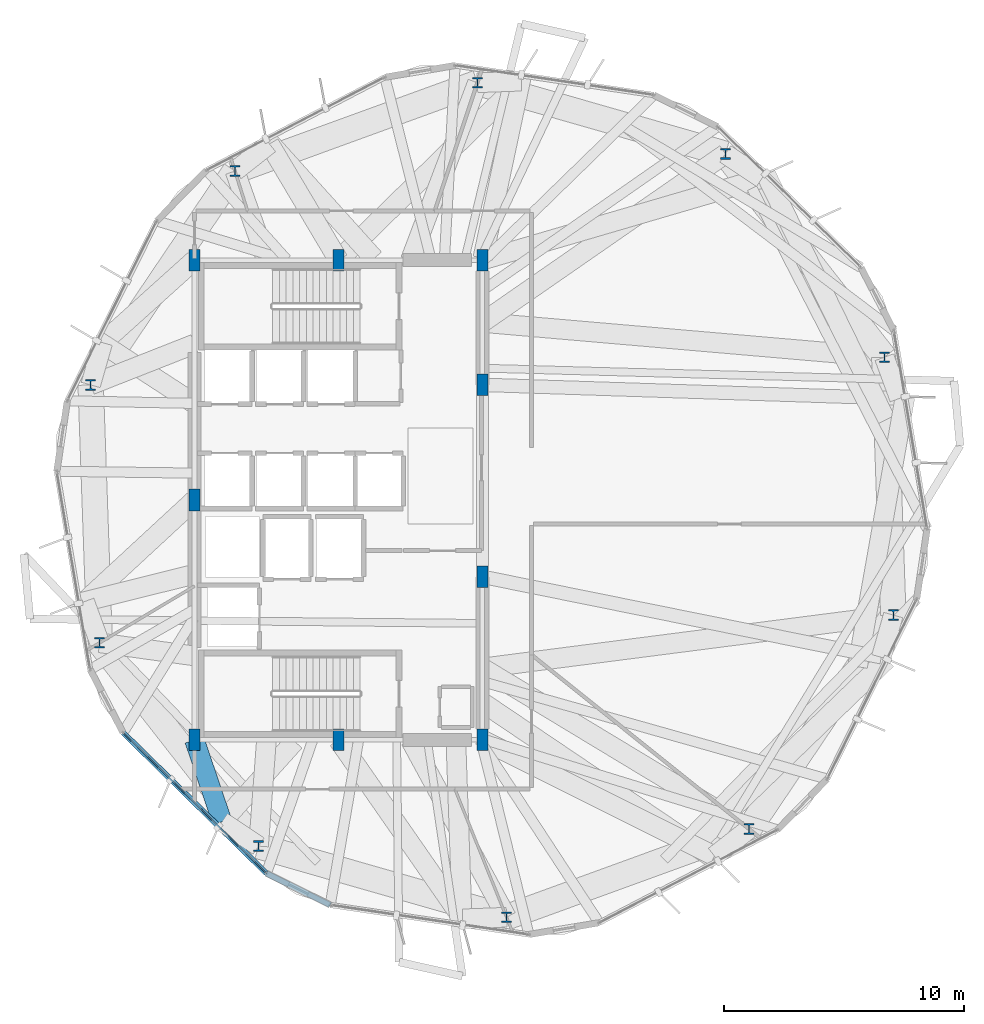
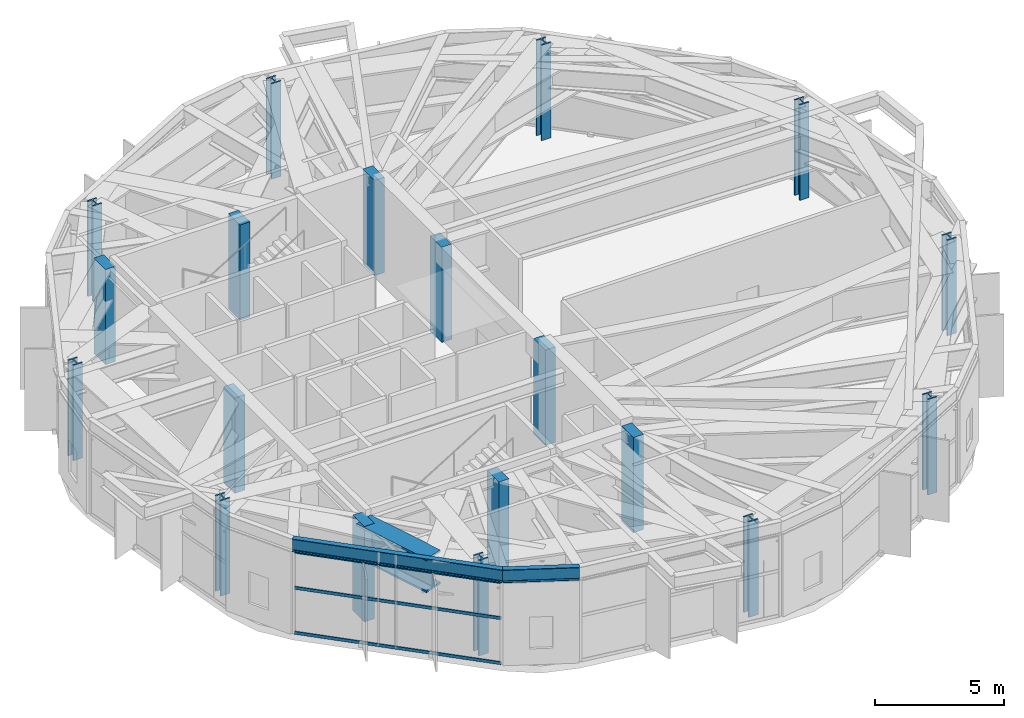
# One storey, part 1 of 27: 19 columns, 3 beams, 3 members, 1 element without a shape of its own.
"""IFC4 building model written with IfcOpenShell, lengths in metres."""

from ifc_helpers import new_model, si_unit, direction, frame, origin, origin_2d, place, context, subcontext, project, spatial, rectangle, hollow_rectangle, i_section, extrude, material, layer, layer_set, material_profile, profile_set, type_object, element, aggregate, save


model = new_model("IFC4")

# Units and contexts
model_context = context("Model", 3, precision=1e-05, world=origin(), true_north=direction((0.0, 1.0)))
body_context = subcontext(model_context, "Body", "Model", "MODEL_VIEW")
ifc_project = project(units=[si_unit("LENGTHUNIT", "METRE"), si_unit("AREAUNIT", "SQUARE_METRE"), si_unit("VOLUMEUNIT", "CUBIC_METRE"), si_unit("PLANEANGLEUNIT", "RADIAN"), si_unit("MASSUNIT", "GRAM", prefix="KILO")], contexts=[model_context])

# Site, building, storey
site_placement = place(None, origin())
site = spatial("IfcSite", under=ifc_project, at=site_placement, CompositionType="ELEMENT")
building_placement = place(site_placement, origin())
building = spatial("IfcBuilding", under=site, at=building_placement, Name="Soratama Intermodal Tower", CompositionType="ELEMENT")
storey_placement = place(building_placement, frame((0.0, 0.0, 134.199951171875)))
storey = spatial("IfcBuildingStorey", under=building, at=storey_placement, Name="L32", CompositionType="ELEMENT", Elevation=134.199951171875)

# Columns
ifc_material_1 = material(Name="Structural steel ASTM A992 Grade 50", Category="steel")
ifc_material_profile_1 = material_profile(ifc_material_1, i_section(OverallWidth=0.41796875, OverallDepth=0.455078125, WebThickness=0.0419921875, FlangeThickness=0.067626953125, FilletRadius=0.0380859375, at=origin_2d()), Name="W14X370")
ifc_profile_set_1 = profile_set([ifc_material_profile_1], Name="Structural steel ASTM A992 Grade 50")
column_type_1 = type_object("IfcColumnType", Name="COL-ZB-W14X370", PredefinedType="COLUMN", material=ifc_profile_set_1)
for number, where, z_axis, x_axis, name in (
    (1, (61.3505859375, 30.951171875, 0.0), (0.0, 0.0, 1.0), (1.0, 0.0, 0.0), "L32 Tower Ring Column R01"),
    (2, (54.72998046875, 39.42529296875, 0.0), (0.0, 0.0, 1.0), (1.0, 0.0, 0.0), "L32 Tower Ring Column R02"),
    (3, (44.392578125, 42.389404296875, 0.0), (0.0, 0.0, 1.0), (1.0, 0.0, 0.0), "L32 Tower Ring Column R03"),
    (4, (34.28759765625, 38.71142578125, 0.0), (0.0, 0.0, 1.0), (1.0, 0.0, 0.0), "L32 Tower Ring Column R04"),
    (5, (28.27392578125, 29.796142578125, 0.0), (0.0, 0.0, 1.0), (1.0, 0.0, 0.0), "L32 Tower Ring Column R05"),
    (6, (28.6494140625, 19.048828125, 0.0), (0.0, 0.0, 1.0), (1.0, 0.0, 0.0), "L32 Tower Ring Column R06"),
    (7, (35.27001953125, 10.57470703125, 0.0), (0.0, 0.0, 1.0), (1.0, 0.0, 0.0), "L32 Tower Ring Column R07"),
    (8, (45.607421875, 7.610595703125, 0.0), (0.0, 0.0, 1.0), (1.0, 0.0, 0.0), "L32 Tower Ring Column R08"),
    (9, (55.71240234375, 11.28857421875, 0.0), (0.0, 0.0, 1.0), (1.0, 0.0, 0.0), "L32 Tower Ring Column R09"),
    (10, (61.72607421875, 20.203857421875, 0.0), (0.0, 0.0, 1.0), (1.0, 0.0, 0.0), "L32 Tower Ring Column R10"),
):
    element("IfcColumn", number, at=place(storey_placement, frame(where, z_axis=z_axis, x_axis=x_axis)), inside=storey, type_object=column_type_1, Name=name, PredefinedType="COLUMN", context=body_context, shape_type="SweptSolid", body=[
        extrude(i_section(OverallWidth=0.41796875, OverallDepth=0.455078125, WebThickness=0.0419921875, FlangeThickness=0.067626953125, FilletRadius=0.0380859375, at=origin_2d()), origin(), (0.0, 0.0, 1.0), 4.5),
    ])
ifc_material_2 = material(Name="Concrete f'c 56 MPa", Category="concrete")
ifc_material_profile_2 = material_profile(ifc_material_2, rectangle(XDim=0.449951171875, YDim=0.89990234375, at=origin_2d()), Name="RC450X900")
ifc_profile_set_2 = profile_set([ifc_material_profile_2], Name="Concrete f'c 56 MPa")
column_type_2 = type_object("IfcColumnType", Name="PIL-CORE-450X900", PredefinedType="PILASTER", material=ifc_profile_set_2)
for number, where, z_axis, x_axis, name in (
    (11, (32.60009765625, 15.0, 0.0), (0.0, 0.0, 1.0), (1.0, 0.0, 0.0), "L32 Core Pilaster 1"),
    (12, (32.60009765625, 25.0, 0.0), (0.0, 0.0, 1.0), (1.0, 0.0, 0.0), "L32 Core Pilaster 2"),
    (13, (32.60009765625, 35.0, 0.0), (0.0, 0.0, 1.0), (1.0, 0.0, 0.0), "L32 Core Pilaster 3"),
    (14, (38.60009765625, 15.0, 0.0), (0.0, 0.0, 1.0), (1.0, 0.0, 0.0), "L32 Core Pilaster 4"),
    (15, (38.60009765625, 35.0, 0.0), (0.0, 0.0, 1.0), (1.0, 0.0, 0.0), "L32 Core Pilaster 5"),
    (16, (44.60009765625, 15.0, 0.0), (0.0, 0.0, 1.0), (1.0, 0.0, 0.0), "L32 Core Pilaster 6"),
    (17, (44.60009765625, 21.800048828125, 0.0), (0.0, 0.0, 1.0), (1.0, 0.0, 0.0), "L32 Core Pilaster 7"),
    (18, (44.60009765625, 29.800048828125, 0.0), (0.0, 0.0, 1.0), (1.0, 0.0, 0.0), "L32 Core Pilaster 8"),
    (19, (44.60009765625, 35.0, 0.0), (0.0, 0.0, 1.0), (1.0, 0.0, 0.0), "L32 Core Pilaster 9"),
):
    element("IfcColumn", number, at=place(storey_placement, frame(where, z_axis=z_axis, x_axis=x_axis)), inside=storey, type_object=column_type_2, Name=name, PredefinedType="PILASTER", context=body_context, shape_type="SweptSolid", body=[
        extrude(rectangle(XDim=0.449951171875, YDim=0.89990234375, at=origin_2d()), origin(), (0.0, 0.0, 1.0), 4.5),
    ])

# Beams
ifc_material_3 = material(Name="Structural steel ASTM A992 Grade 50", Category="steel")
ifc_material_profile_3 = material_profile(ifc_material_3, i_section(OverallWidth=0.22900390625, OverallDepth=0.612060546875, WebThickness=0.011962890625, FlangeThickness=0.01953125, FilletRadius=0.012939453125, at=origin_2d()), Name="W24X84")
ifc_profile_set_3 = profile_set([ifc_material_profile_3], Name="Structural steel ASTM A992 Grade 50")
beam_type_1 = type_object("IfcBeamType", Name="BM-SPN-W24X84", PredefinedType="SPANDREL", material=ifc_profile_set_3)
beam_1_placement = place(storey_placement, frame((29.62109375, 15.30810546875, 4.194091796875), z_axis=(0.713692183404, -0.70045946874, 0.0), x_axis=(0.70045946874, 0.713692183404, 0.0)))
element("IfcBeam", 20, at=beam_1_placement, inside=storey, type_object=beam_type_1, Name="BS-L32-F06", PredefinedType="SPANDREL", context=body_context, shape_type="SweptSolid", body=[
    extrude(i_section(OverallWidth=0.22900390625, OverallDepth=0.612060546875, WebThickness=0.011962890625, FlangeThickness=0.01953125, FilletRadius=0.012939453125, at=origin_2d()), origin(), (0.0, 0.0, 1.0), 8.376220703125),
])
beam_2_placement = place(storey_placement, frame((35.59912109375, 9.44091796875, 4.194091796875), z_axis=(0.895215836877, -0.445632814551, 0.0), x_axis=(0.445632814551, 0.895215836877, 0.0)))
element("IfcBeam", 21, at=beam_2_placement, inside=storey, type_object=beam_type_1, Name="BS-L32-CRN06", PredefinedType="SPANDREL", context=body_context, shape_type="SweptSolid", body=[
    extrude(i_section(OverallWidth=0.22900390625, OverallDepth=0.612060546875, WebThickness=0.011962890625, FlangeThickness=0.01953125, FilletRadius=0.012939453125, at=origin_2d()), origin(), (0.0, 0.0, 1.0), 2.966552734375),
])
ifc_material_4 = material(Name="Structural steel ASTM A992 Grade 50", Category="steel")
ifc_material_profile_4 = material_profile(ifc_material_4, i_section(OverallWidth=0.820068359375, OverallDepth=1.60205078125, WebThickness=0.055908203125, FlangeThickness=0.092041015625, FilletRadius=0.02392578125, at=origin_2d()), Name="PG1600X650")
ifc_profile_set_4 = profile_set([ifc_material_profile_4], Name="Structural steel ASTM A992 Grade 50")
beam_type_2 = type_object("IfcBeamType", Name="BM-ZSTEP-PG1600", PredefinedType="BEAM", material=ifc_profile_set_4)
beam_3_placement = place(storey_placement, frame((33.7509765625, 11.593994140625, 3.698974609375), z_axis=(-0.320116208895, 0.947378283899, 0.0), x_axis=(-0.947378283899, -0.320116208895, 0.0)))
element("IfcBeam", 22, at=beam_3_placement, inside=storey, type_object=beam_type_2, Name="BM-L32-ZSTEP-B07", PredefinedType="BEAM", context=body_context, shape_type="SweptSolid", body=[
    extrude(i_section(OverallWidth=0.820068359375, OverallDepth=1.60205078125, WebThickness=0.055908203125, FlangeThickness=0.092041015625, FilletRadius=0.02392578125, at=origin_2d()), origin(), (0.0, 0.0, 1.0), 3.59521484375),
])

# Curtain wall, members
ifc_material_5 = material(Name="Double-glazed aluminium curtain wall", Category="aluminium")
ifc_layer = layer(ifc_material_5, 0.159912109375)
ifc_layer_set = layer_set([ifc_layer], Name="Double-glazed aluminium curtain wall")
curtain_wall_type = type_object("IfcCurtainWallType", Name="CW-SYS-3", PredefinedType="NOTDEFINED", material=ifc_layer_set)
curtain_wall_placement = place(storey_placement, origin())
curtain_wall = element("IfcCurtainWall", 23, at=curtain_wall_placement, inside=storey, type_object=curtain_wall_type, Name="L32 Faceted Curtain Wall F06", PredefinedType="NOTDEFINED")
ifc_material_6 = material(Name="Anodised aluminium AA 6063-T6", Category="aluminium")
ifc_material_profile_5 = material_profile(ifc_material_6, hollow_rectangle(XDim=0.06494140625, YDim=0.14990234375, WallThickness=0.0048828125, InnerFilletRadius=0.0048828125, OuterFilletRadius=0.010009765625, at=origin_2d()), Name="CWT150X65X5")
ifc_profile_set_5 = profile_set([ifc_material_profile_5], Name="Anodised aluminium AA 6063-T6")
member_type = type_object("IfcMemberType", Name="TT-CWT-1", PredefinedType="USERDEFINED", material=ifc_profile_set_5)
member_1_placement = place(storey_placement, frame((29.66357421875, 15.265625, 0.030029296875), z_axis=(0.713743490375, -0.700407188674, 0.0), x_axis=(0.700407188674, 0.713743490375, 0.0)))
member_1 = element("IfcMember", 24, at=member_1_placement, type_object=member_type, Name="CW-3 transom 1.1", ObjectType="TRANSOM", PredefinedType="USERDEFINED", context=body_context, shape_type="SweptSolid", body=[
    extrude(hollow_rectangle(XDim=0.06494140625, YDim=0.14990234375, WallThickness=0.0048828125, InnerFilletRadius=0.0048828125, OuterFilletRadius=0.010009765625, at=origin_2d()), origin(), (0.0, 0.0, 1.0), 8.256103515625),
])
member_2_placement = place(storey_placement, frame((29.66357421875, 15.265625, 2.150146484375), z_axis=(0.713743490375, -0.700407188674, 0.0), x_axis=(0.700407188674, 0.713743490375, 0.0)))
member_2 = element("IfcMember", 25, at=member_2_placement, type_object=member_type, Name="CW-3 transom 1.2", ObjectType="TRANSOM", PredefinedType="USERDEFINED", context=body_context, shape_type="SweptSolid", body=[
    extrude(hollow_rectangle(XDim=0.06494140625, YDim=0.14990234375, WallThickness=0.0048828125, InnerFilletRadius=0.0048828125, OuterFilletRadius=0.010009765625, at=origin_2d()), origin(), (0.0, 0.0, 1.0), 8.256103515625),
])
member_3_placement = place(storey_placement, frame((29.66357421875, 15.265625, 3.84912109375), z_axis=(0.713743490375, -0.700407188674, 0.0), x_axis=(0.700407188674, 0.713743490375, 0.0)))
member_3 = element("IfcMember", 26, at=member_3_placement, type_object=member_type, Name="CW-3 transom 1.3", ObjectType="TRANSOM", PredefinedType="USERDEFINED", context=body_context, shape_type="SweptSolid", body=[
    extrude(hollow_rectangle(XDim=0.06494140625, YDim=0.14990234375, WallThickness=0.0048828125, InnerFilletRadius=0.0048828125, OuterFilletRadius=0.010009765625, at=origin_2d()), origin(), (0.0, 0.0, 1.0), 8.256103515625),
])
aggregate(curtain_wall, [member_1, member_2, member_3])

save(model, "model.ifc")
